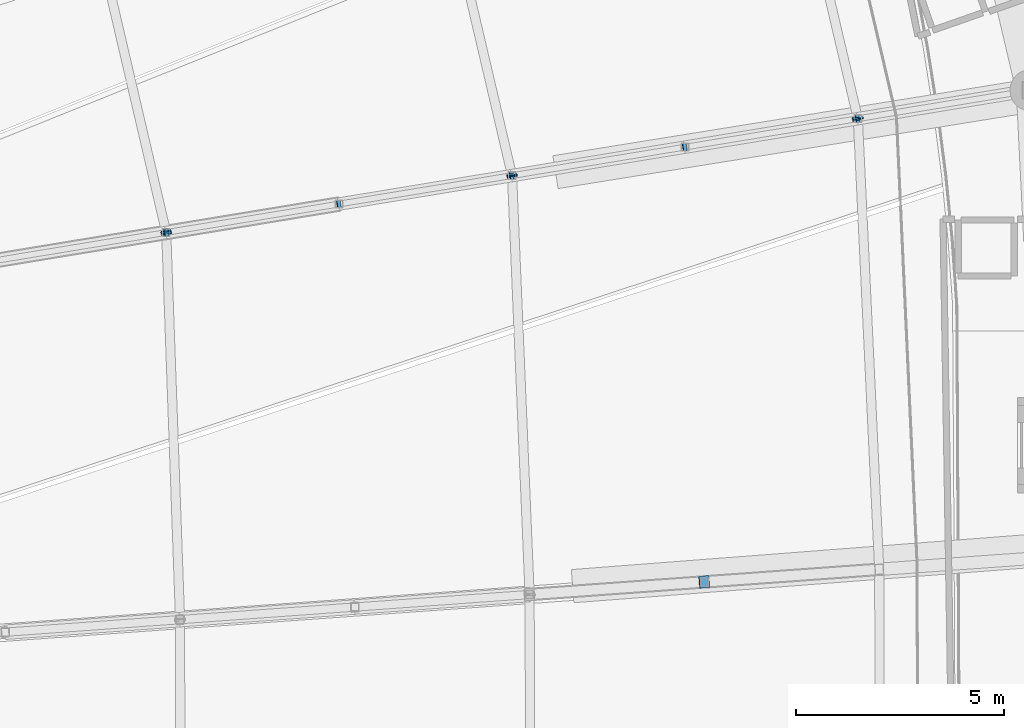
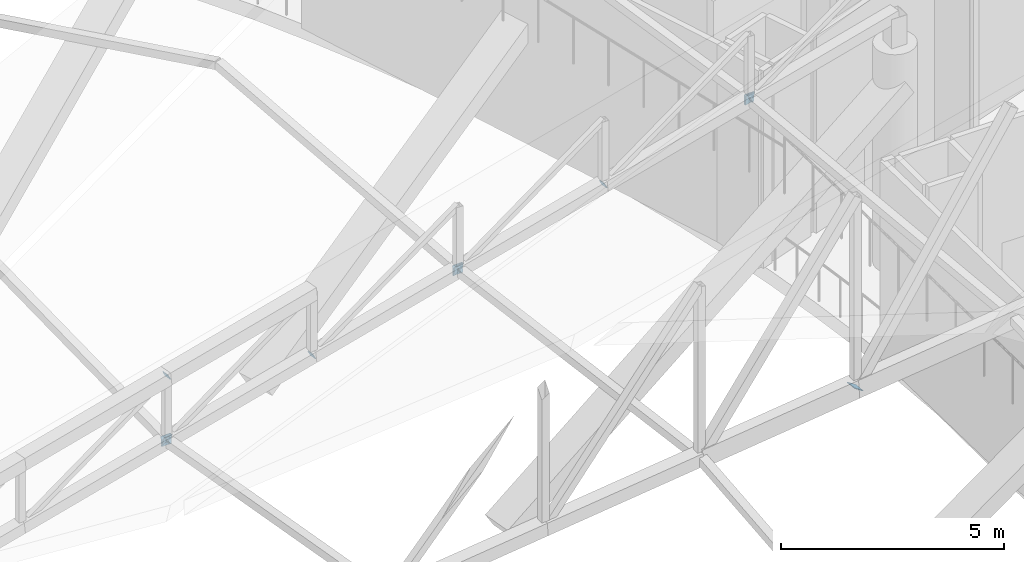
# One storey, part 330 of 344: 13 discrete accessories.
"""IFC4 building model written with IfcOpenShell, lengths in metres."""

from ifc_helpers import new_model, si_unit, direction, frame, origin, origin_2d, place, context, subcontext, project, spatial, rectangle, extrude, material, material_profile, profile_set, type_object, element, save


model = new_model("IFC4")

# Units and contexts
model_context = context("Model", 3, precision=1e-05, world=origin(), true_north=direction((0.0, 1.0)))
body_context = subcontext(model_context, "Body", "Model", "MODEL_VIEW")
ifc_project = project(units=[si_unit("LENGTHUNIT", "METRE"), si_unit("AREAUNIT", "SQUARE_METRE"), si_unit("VOLUMEUNIT", "CUBIC_METRE"), si_unit("PLANEANGLEUNIT", "RADIAN"), si_unit("MASSUNIT", "GRAM", prefix="KILO")], contexts=[model_context])

# Site, building, storey
site_placement = place(None, origin())
site = spatial("IfcSite", under=ifc_project, at=site_placement, CompositionType="ELEMENT")
building_placement = place(site_placement, origin())
building = spatial("IfcBuilding", under=site, at=building_placement, Name="Meseta Stadium", CompositionType="ELEMENT")
storey_placement = place(building_placement, frame((0.0, 0.0, 24.0)))
storey = spatial("IfcBuildingStorey", under=building, at=storey_placement, Name="L04", CompositionType="ELEMENT", Elevation=24.0)

# Discrete accessories
ifc_material_1 = material(Name="Steel S355", Category="steel")
ifc_material_profile_1 = material_profile(ifc_material_1, rectangle(XDim=0.179931640625, YDim=0.179931640625, at=origin_2d()), Name="PL 180x180")
ifc_profile_set_1 = profile_set([ifc_material_profile_1], Name="Steel S355")
discrete_accessory_type_1 = type_object("IfcDiscreteAccessoryType", Name="End plate 180x180x20", PredefinedType="ANCHORPLATE", material=ifc_profile_set_1)
discrete_accessory_1_placement = place(storey_placement, frame((63.494140625, 50.374755859375, 6.24267578125), z_axis=(0.874931437699, 0.145821906283, 0.461769369896), x_axis=(-0.164398987305, 0.986393923832, 0.0)))
element("IfcDiscreteAccessory", 1, at=discrete_accessory_1_placement, inside=storey, type_object=discrete_accessory_type_1, Name="End plate of ROOF TRUSS RT-09 diagonal", PredefinedType="ANCHORPLATE", context=body_context, shape_type="SweptSolid", body=[
    extrude(rectangle(XDim=0.179931640625, YDim=0.179931640625, at=origin_2d()), origin(), (0.0, 0.0, 1.0), 0.02001953125),
])
discrete_accessory_2_placement = place(storey_placement, frame((63.476806640625, 50.3720703125, 4.4765625), z_axis=(0.873552606789, 0.135339136263, 0.467535198), x_axis=(-0.153102994509, 0.988210237284, 0.0)))
element("IfcDiscreteAccessory", 2, at=discrete_accessory_2_placement, inside=storey, type_object=discrete_accessory_type_1, Name="End plate of ROOF TRUSS RT-09 diagonal", PredefinedType="ANCHORPLATE", context=body_context, shape_type="SweptSolid", body=[
    extrude(rectangle(XDim=0.179931640625, YDim=0.179931640625, at=origin_2d()), origin(), (0.0, 0.0, 1.0), 0.019775390625),
])
for number, where, z_axis, x_axis, name in (
    (3, (67.642822265625, 51.057373046875, 4.939453125), (0.874931437699, 0.145821906283, 0.461769369896), (-0.164398987305, 0.986393923832, 0.0), "End plate of ROOF TRUSS RT-09 diagonal"),
    (4, (71.80908203125, 51.74267578125, 5.40234375), (0.874931437699, 0.145821906283, 0.461769369896), (-0.164398987305, 0.986393923832, 0.0), "End plate of ROOF TRUSS RT-09 diagonal"),
):
    element("IfcDiscreteAccessory", number, at=place(storey_placement, frame(where, z_axis=z_axis, x_axis=x_axis)), inside=storey, type_object=discrete_accessory_type_1, Name=name, PredefinedType="ANCHORPLATE", context=body_context, shape_type="SweptSolid", body=[
        extrude(rectangle(XDim=0.179931640625, YDim=0.179931640625, at=origin_2d()), origin(), (0.0, 0.0, 1.0), 0.02001953125),
    ])
for number, where, z_axis, x_axis, name in (
    (5, (75.975341796875, 52.427978515625, 5.864990234375), (0.872035849523, 0.147386340765, 0.466723412421), (-0.166650593889, 0.986016013844, 0.0), "End plate of ROOF TRUSS RT-09 diagonal"),
    (6, (80.1416015625, 53.11328125, 6.327880859375), (0.872035849523, 0.147386340765, 0.466723412421), (-0.166650593889, 0.986016013844, 0.0), "End plate of ROOF TRUSS RT-09 diagonal"),
):
    element("IfcDiscreteAccessory", number, at=place(storey_placement, frame(where, z_axis=z_axis, x_axis=x_axis)), inside=storey, type_object=discrete_accessory_type_1, Name=name, PredefinedType="ANCHORPLATE", context=body_context, shape_type="SweptSolid", body=[
        extrude(rectangle(XDim=0.179931640625, YDim=0.179931640625, at=origin_2d()), origin(), (0.0, 0.0, 1.0), 0.019775390625),
    ])
ifc_material_2 = material(Name="Steel S355", Category="steel")
ifc_material_profile_2 = material_profile(ifc_material_2, rectangle(XDim=0.260009765625, YDim=0.260009765625, at=origin_2d()), Name="PL 260x260")
ifc_profile_set_2 = profile_set([ifc_material_profile_2], Name="Steel S355")
discrete_accessory_type_2 = type_object("IfcDiscreteAccessoryType", Name="End plate 260x260x20", PredefinedType="ANCHORPLATE", material=ifc_profile_set_2)
discrete_accessory_3_placement = place(storey_placement, frame((63.494140625, 50.374755859375, 4.48583984375), z_axis=(-0.036236747072, 0.990471086628, -0.132868072596), x_axis=(-0.999331426586, -0.036560905851, 0.0)))
element("IfcDiscreteAccessory", 7, at=discrete_accessory_3_placement, inside=storey, type_object=discrete_accessory_type_2, Name="End plate of ROOF TRUSS STRUT RT-08/09", PredefinedType="ANCHORPLATE", context=body_context, shape_type="SweptSolid", body=[
    extrude(rectangle(XDim=0.260009765625, YDim=0.260009765625, at=origin_2d()), origin(), (0.0, 0.0, 1.0), 0.020263671875),
])
discrete_accessory_4_placement = place(storey_placement, frame((71.82666015625, 51.74560546875, 5.41162109375), z_axis=(-0.049139900815, 0.995082991502, -0.085994826426), x_axis=(-0.99878289929, -0.049322612311, 0.0)))
element("IfcDiscreteAccessory", 8, at=discrete_accessory_4_placement, inside=storey, type_object=discrete_accessory_type_2, Name="End plate of ROOF TRUSS STRUT RT-08/09", PredefinedType="ANCHORPLATE", context=body_context, shape_type="SweptSolid", body=[
    extrude(rectangle(XDim=0.260009765625, YDim=0.260009765625, at=origin_2d()), origin(), (0.0, 0.0, 1.0), 0.019775390625),
])
discrete_accessory_5_placement = place(storey_placement, frame((80.158935546875, 53.1162109375, 6.337158203125), z_axis=(-0.04869005636, 0.998146155389, -0.03651754227), x_axis=(-0.998812351125, -0.048722553713, 0.0)))
element("IfcDiscreteAccessory", 9, at=discrete_accessory_5_placement, inside=storey, type_object=discrete_accessory_type_2, Name="End plate of ROOF TRUSS STRUT RT-08/09", PredefinedType="ANCHORPLATE", context=body_context, shape_type="SweptSolid", body=[
    extrude(rectangle(XDim=0.260009765625, YDim=0.260009765625, at=origin_2d()), origin(), (0.0, 0.0, 1.0), 0.02001953125),
])
discrete_accessory_6_placement = place(storey_placement, frame((63.49853515625, 50.3564453125, 4.4794921875), z_axis=(-0.22114624206, 0.921442675251, 0.319433460754), x_axis=(-0.972387301981, -0.233372952475, 0.0)))
element("IfcDiscreteAccessory", 10, at=discrete_accessory_6_placement, inside=storey, type_object=discrete_accessory_type_2, Name="End plate of ROOF TRUSS STRUT RT-09/10", PredefinedType="ANCHORPLATE", context=body_context, shape_type="SweptSolid", body=[
    extrude(rectangle(XDim=0.260009765625, YDim=0.260009765625, at=origin_2d()), origin(), (0.0, 0.0, 1.0), 0.019775390625),
])
for number, where, z_axis, x_axis, name in (
    (11, (71.8310546875, 51.7265625, 5.407470703125), (-0.219954248843, 0.953135078322, 0.207734568352), (-0.974391195695, -0.224859506699, 0.0), "End plate of ROOF TRUSS STRUT RT-09/10"),
    (12, (80.16357421875, 53.096923828125, 6.335205078125), (-0.232713161513, 0.96759682945, 0.097984489058), (-0.972275475429, -0.233838405483, 0.0), "End plate of ROOF TRUSS STRUT RT-09/10"),
):
    element("IfcDiscreteAccessory", number, at=place(storey_placement, frame(where, z_axis=z_axis, x_axis=x_axis)), inside=storey, type_object=discrete_accessory_type_2, Name=name, PredefinedType="ANCHORPLATE", context=body_context, shape_type="SweptSolid", body=[
        extrude(rectangle(XDim=0.260009765625, YDim=0.260009765625, at=origin_2d()), origin(), (0.0, 0.0, 1.0), 0.02001953125),
    ])
ifc_material_3 = material(Name="Steel S355", Category="steel")
ifc_material_profile_3 = material_profile(ifc_material_3, rectangle(XDim=0.2900390625, YDim=0.2900390625, at=origin_2d()), Name="PL 290x290")
ifc_profile_set_3 = profile_set([ifc_material_profile_3], Name="Steel S355")
discrete_accessory_type_3 = type_object("IfcDiscreteAccessoryType", Name="End plate 290x290x20", PredefinedType="ANCHORPLATE", material=ifc_profile_set_3)
discrete_accessory_7_placement = place(storey_placement, frame((76.449951171875, 41.95458984375, 6.504638671875), z_axis=(0.573597420318, 0.048816801729, 0.817681428964), x_axis=(-0.084799830401, 0.996398007206, 0.0)))
element("IfcDiscreteAccessory", 13, at=discrete_accessory_7_placement, inside=storey, type_object=discrete_accessory_type_3, Name="End plate of ROOF TRUSS RT-08 diagonal", PredefinedType="ANCHORPLATE", context=body_context, shape_type="SweptSolid", body=[
    extrude(rectangle(XDim=0.2900390625, YDim=0.2900390625, at=origin_2d()), origin(), (0.0, 0.0, 1.0), 0.02001953125),
])

save(model, "model.ifc")
